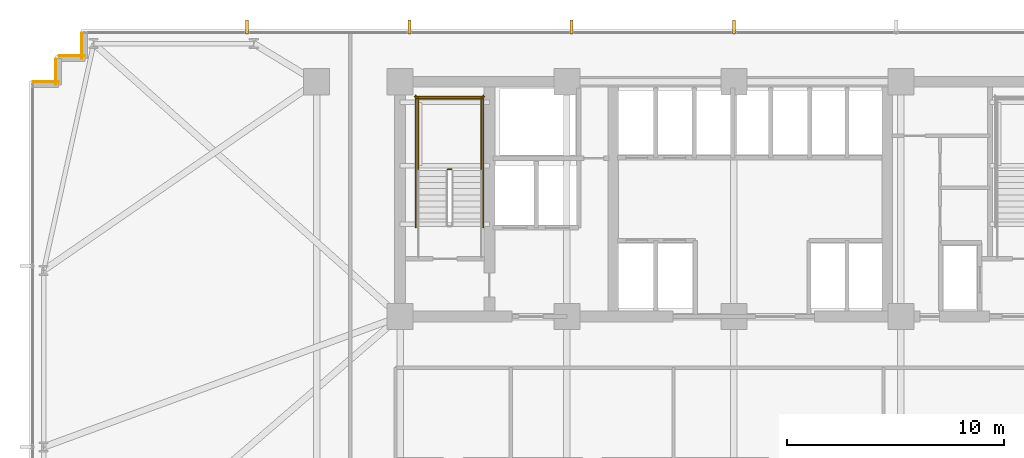
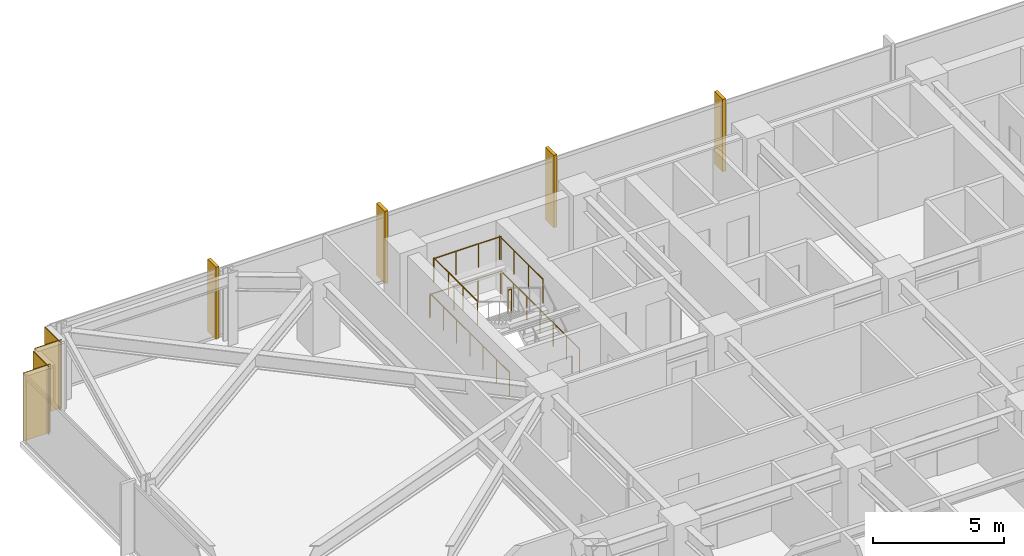
# One storey, part 30 of 32: 7 railings, 4 coverings, 4 shading devices.
"""IFC4 building model written with IfcOpenShell, lengths in metres."""

from ifc_helpers import new_model, si_unit, direction, frame, frame_2d, origin, origin_2d, place, context, subcontext, project, spatial, rectangle, circle, extrude, material, layer, layer_set, type_object, element, save


model = new_model("IFC4")

# Units and contexts
model_context = context("Model", 3, precision=1e-05, world=origin(), true_north=direction((0.0, 1.0)))
body_context = subcontext(model_context, "Body", "Model", "MODEL_VIEW")
ifc_project = project(units=[si_unit("LENGTHUNIT", "METRE"), si_unit("AREAUNIT", "SQUARE_METRE"), si_unit("VOLUMEUNIT", "CUBIC_METRE"), si_unit("PLANEANGLEUNIT", "RADIAN"), si_unit("MASSUNIT", "GRAM", prefix="KILO")], contexts=[model_context])

# Site, building, storey
site_placement = place(None, origin())
site = spatial("IfcSite", under=ifc_project, at=site_placement, CompositionType="ELEMENT")
building_placement = place(site_placement, origin())
building = spatial("IfcBuilding", under=site, at=building_placement, Name="Yelkora Congress Tower", CompositionType="ELEMENT")
storey_placement = place(building_placement, frame((0.0, 0.0, 61.0)))
storey = spatial("IfcBuildingStorey", under=building, at=storey_placement, Name="L15", CompositionType="ELEMENT", Elevation=61.0)

# Coverings
ifc_material_1 = material(Name="Anatolian bush-hammered limestone", Category="masonry")
ifc_layer_1 = layer(ifc_material_1, 0.0400390625)
ifc_layer_set_1 = layer_set([ifc_layer_1], Name="Anatolian bush-hammered limestone")
covering_type = type_object("IfcCoveringType", Name="COV-CLAD-SPANDREL-40", PredefinedType="CLADDING", material=ifc_layer_set_1)
covering_placement = place(storey_placement, frame((6.139892578125, 46.195068359375, 0.0), z_axis=(0.0, 0.0, 1.0), x_axis=(1.0, 0.0, 0.0)))
element("IfcCovering", 1, at=covering_placement, inside=storey, type_object=covering_type, Name="L15 Anatolian Limestone Cladding EW-L15-SR06", PredefinedType="CLADDING", context=body_context, shape_type="SweptSolid", body=[
    extrude(rectangle(XDim=1.2001953125, YDim=0.0400390625, at=frame_2d((0.60009765625, 0.0))), origin(), (0.0, 0.0, 1.0), 3.179931640625),
])
for number, where, z_axis, x_axis, name in (
    (2, (7.205078125, 46.06005859375, 0.0), (0.0, 0.0, 1.0), (0.0, 1.0, 0.0), "L15 Anatolian Limestone Cladding EW-L15-SR07"),
    (3, (7.340087890625, 47.39501953125, 0.0), (0.0, 0.0, 1.0), (1.0, 0.0, 0.0), "L15 Anatolian Limestone Cladding EW-L15-SR08"),
    (4, (8.405029296875, 47.260009765625, 0.0), (0.0, 0.0, 1.0), (0.0, 1.0, 0.0), "L15 Anatolian Limestone Cladding EW-L15-SR09"),
):
    element("IfcCovering", number, at=place(storey_placement, frame(where, z_axis=z_axis, x_axis=x_axis)), inside=storey, type_object=covering_type, Name=name, PredefinedType="CLADDING", context=body_context, shape_type="SweptSolid", body=[
        extrude(rectangle(XDim=1.199951171875, YDim=0.0400390625, at=frame_2d((0.60009765625, 0.0))), origin(), (0.0, 0.0, 1.0), 3.179931640625),
    ])

# Railings
ifc_material_2 = material(Name="Painted galvanised steel stair well guard with vertical infill", Category="steel")
ifc_layer_2 = layer(ifc_material_2, 0.06005859375)
ifc_layer_set_2 = layer_set([ifc_layer_2], Name="Painted galvanised steel stair well guard with vertical infill")
railing_type = type_object("IfcRailingType", Name="RAIL-STAIR-GUARD-1120", PredefinedType="GUARDRAIL", material=ifc_layer_set_2)
railing_1_placement = place(storey_placement, frame((25.39990234375, 42.169921875, 1.699951171875)))
element("IfcRailing", 5, at=railing_1_placement, inside=storey, type_object=railing_type, Name="ST-01 L15 Stair Well Guardrail 2", PredefinedType="GUARDRAIL", context=body_context, shape_type="SweptSolid", body=[
    extrude(circle(Radius=0.02392578125, at=origin_2d()), frame((0.0, 0.0, 1.09619140625), z_axis=(-1.0, 0.0, 0.0), x_axis=(0.0, -1.0, 0.0)), (0.0, 0.0, 1.0), 0.159912109375),
    extrude(circle(Radius=0.02099609375, at=origin_2d()), origin(), (0.0, 0.0, 1.0), 1.072021484375),
    extrude(circle(Radius=0.02099609375, at=origin_2d()), frame((-0.159912109375, 0.0, 0.0)), (0.0, 0.0, 1.0), 1.072021484375),
])
for number, where, name in (
    (6, (26.77001953125, 42.1201171875, 1.699951171875), "ST-01 L15 Stair Well Guardrail 3"),
    (7, (23.8701171875, 42.1201171875, 1.699951171875), "ST-01 L15 Stair Well Guardrail 4"),
):
    element("IfcRailing", number, at=place(storey_placement, frame(where)), inside=storey, type_object=railing_type, Name=name, PredefinedType="GUARDRAIL", context=body_context, shape_type="SweptSolid", body=[
        extrude(circle(Radius=0.02392578125, at=origin_2d()), frame((0.0, 0.0, 1.09619140625), z_axis=(0.0, 1.0, 0.0), x_axis=(-1.0, 0.0, 0.0)), (0.0, 0.0, 1.0), 3.349853515625),
        extrude(circle(Radius=0.02099609375, at=origin_2d()), origin(), (0.0, 0.0, 1.0), 1.072021484375),
        extrude(circle(Radius=0.02099609375, at=origin_2d()), frame((0.0, 1.11669921875, 0.0)), (0.0, 0.0, 1.0), 1.072021484375),
        extrude(circle(Radius=0.02099609375, at=origin_2d()), frame((0.0, 2.233154296875, 0.0)), (0.0, 0.0, 1.0), 1.072021484375),
        extrude(circle(Radius=0.02099609375, at=origin_2d()), frame((0.0, 3.349853515625, 0.0)), (0.0, 0.0, 1.0), 1.072021484375),
    ])
railing_2_placement = place(storey_placement, frame((26.820068359375, 45.419921875, 1.699951171875)))
element("IfcRailing", 8, at=railing_2_placement, inside=storey, type_object=railing_type, Name="ST-01 L15 Stair Well Guardrail 5", PredefinedType="GUARDRAIL", context=body_context, shape_type="SweptSolid", body=[
    extrude(circle(Radius=0.02392578125, at=origin_2d()), frame((0.0, 0.0, 1.09619140625), z_axis=(-1.0, 0.0, 0.0), x_axis=(0.0, -1.0, 0.0)), (0.0, 0.0, 1.0), 3.0),
    extrude(circle(Radius=0.02099609375, at=origin_2d()), origin(), (0.0, 0.0, 1.0), 1.072021484375),
    extrude(circle(Radius=0.02099609375, at=origin_2d()), frame((-1.0, 0.0, 0.0)), (0.0, 0.0, 1.0), 1.072021484375),
    extrude(circle(Radius=0.02099609375, at=origin_2d()), frame((-2.0, 0.0, 0.0)), (0.0, 0.0, 1.0), 1.072021484375),
    extrude(circle(Radius=0.02099609375, at=origin_2d()), frame((-3.0, 0.0, 0.0)), (0.0, 0.0, 1.0), 1.072021484375),
])
for number, where, name in (
    (9, (26.8701171875, 39.5, 0.0), "ST-01 L15 Stair Well Guardrail 10"),
    (10, (23.77001953125, 39.5, 0.0), "ST-01 L15 Stair Well Guardrail 11"),
):
    element("IfcRailing", number, at=place(storey_placement, frame(where)), inside=storey, type_object=railing_type, Name=name, PredefinedType="GUARDRAIL", context=body_context, shape_type="SweptSolid", body=[
        extrude(circle(Radius=0.02392578125, at=origin_2d()), frame((0.0, 0.0, 1.09619140625), z_axis=(0.0, 1.0, 0.0), x_axis=(-1.0, 0.0, 0.0)), (0.0, 0.0, 1.0), 6.070068359375),
        extrude(circle(Radius=0.02099609375, at=origin_2d()), origin(), (0.0, 0.0, 1.0), 1.072021484375),
        extrude(circle(Radius=0.02099609375, at=origin_2d()), frame((0.0, 1.01171875, 0.0)), (0.0, 0.0, 1.0), 1.072021484375),
        extrude(circle(Radius=0.02099609375, at=origin_2d()), frame((0.0, 2.0234375, 0.0)), (0.0, 0.0, 1.0), 1.072021484375),
        extrude(circle(Radius=0.02099609375, at=origin_2d()), frame((0.0, 3.03515625, 0.0)), (0.0, 0.0, 1.0), 1.072021484375),
        extrude(circle(Radius=0.02099609375, at=origin_2d()), frame((0.0, 4.046630859375, 0.0)), (0.0, 0.0, 1.0), 1.072021484375),
        extrude(circle(Radius=0.02099609375, at=origin_2d()), frame((0.0, 5.058349609375, 0.0)), (0.0, 0.0, 1.0), 1.072021484375),
        extrude(circle(Radius=0.02099609375, at=origin_2d()), frame((0.0, 6.070068359375, 0.0)), (0.0, 0.0, 1.0), 1.072021484375),
    ])
railing_3_placement = place(storey_placement, frame((26.919921875, 45.52001953125, 0.0)))
element("IfcRailing", 11, at=railing_3_placement, inside=storey, type_object=railing_type, Name="ST-01 L15 Stair Well Guardrail 12", PredefinedType="GUARDRAIL", context=body_context, shape_type="SweptSolid", body=[
    extrude(circle(Radius=0.02392578125, at=origin_2d()), frame((0.0, 0.0, 1.09619140625), z_axis=(-1.0, 0.0, 0.0), x_axis=(0.0, -1.0, 0.0)), (0.0, 0.0, 1.0), 3.199951171875),
    extrude(circle(Radius=0.02099609375, at=origin_2d()), origin(), (0.0, 0.0, 1.0), 1.072021484375),
    extrude(circle(Radius=0.02099609375, at=origin_2d()), frame((-1.066650390625, 0.0, 0.0)), (0.0, 0.0, 1.0), 1.072021484375),
    extrude(circle(Radius=0.02099609375, at=origin_2d()), frame((-2.13330078125, 0.0, 0.0)), (0.0, 0.0, 1.0), 1.072021484375),
    extrude(circle(Radius=0.02099609375, at=origin_2d()), frame((-3.199951171875, 0.0, 0.0)), (0.0, 0.0, 1.0), 1.072021484375),
])

# Shading devices
ifc_material_3 = material(Name="Champagne anodised aluminium", Category="aluminium")
ifc_layer_3 = layer(ifc_material_3, 3.39990234375)
ifc_layer_set_3 = layer_set([ifc_layer_3], Name="Champagne anodised aluminium")
shading_device_type = type_object("IfcShadingDeviceType", Name="SHD-FIN-ALU-640", PredefinedType="USERDEFINED", material=ifc_layer_set_3)
for number, where, z_axis, x_axis, name in (
    (12, (16.0048828125, 48.719970703125, -0.030029296875), (0.0, 0.0, 1.0), (1.0, 0.0, 0.0), "L15 Vertical Anodised Solar Fin 10-1"),
    (13, (23.469970703125, 48.719970703125, -0.030029296875), (0.0, 0.0, 1.0), (1.0, 0.0, 0.0), "L15 Vertical Anodised Solar Fin 10-2"),
    (14, (30.93505859375, 48.719970703125, -0.030029296875), (0.0, 0.0, 1.0), (1.0, 0.0, 0.0), "L15 Vertical Anodised Solar Fin 10-3"),
    (15, (38.39990234375, 48.719970703125, -0.030029296875), (0.0, 0.0, 1.0), (1.0, 0.0, 0.0), "L15 Vertical Anodised Solar Fin 10-4"),
):
    element("IfcShadingDevice", number, at=place(storey_placement, frame(where, z_axis=z_axis, x_axis=x_axis)), inside=storey, type_object=shading_device_type, Name=name, ObjectType="FIN", PredefinedType="USERDEFINED", context=body_context, shape_type="SweptSolid", body=[
        extrude(rectangle(XDim=0.139892578125, YDim=0.639892578125, at=origin_2d()), origin(), (0.0, 0.0, 1.0), 3.3798828125),
    ])

save(model, "model.ifc")
